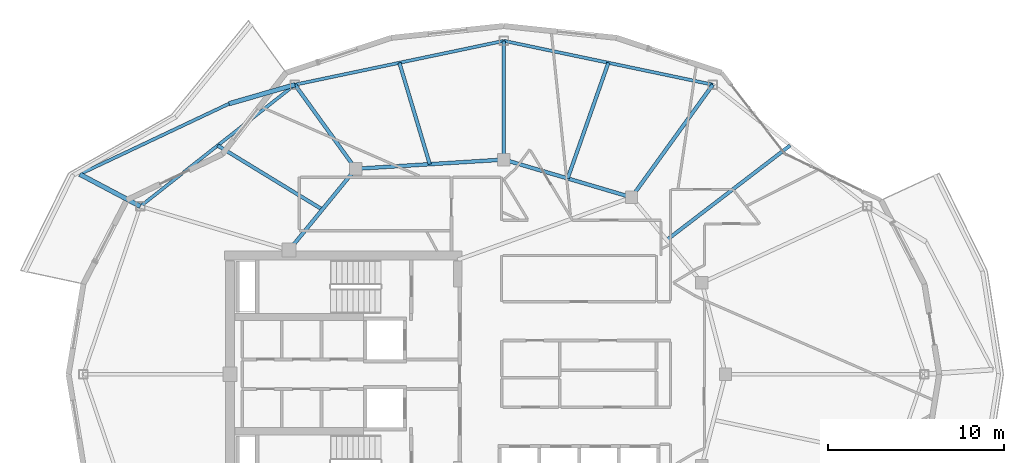
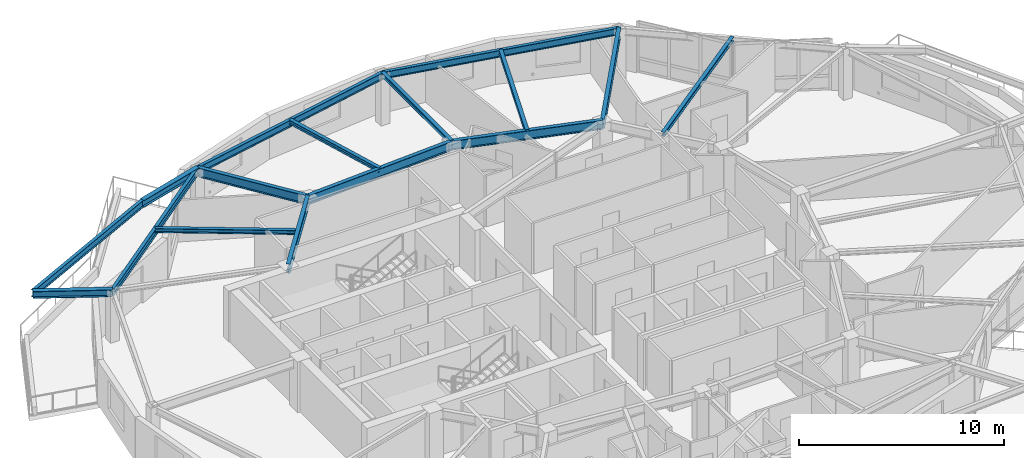
# One storey, part 3 of 14: 16 beams.
"""IFC4 building model written with IfcOpenShell, lengths in metres."""

from ifc_helpers import new_model, si_unit, direction, frame, origin, origin_2d, place, context, subcontext, project, spatial, i_section, extrude, material, material_profile, profile_set, type_object, element, save


model = new_model("IFC4")

# Units and contexts
model_context = context("Model", 3, precision=1e-05, world=origin(), true_north=direction((0.0, 1.0)))
body_context = subcontext(model_context, "Body", "Model", "MODEL_VIEW")
ifc_project = project(units=[si_unit("LENGTHUNIT", "METRE"), si_unit("AREAUNIT", "SQUARE_METRE"), si_unit("VOLUMEUNIT", "CUBIC_METRE"), si_unit("PLANEANGLEUNIT", "RADIAN"), si_unit("MASSUNIT", "GRAM", prefix="KILO")], contexts=[model_context])

# Site, building, storey
site_placement = place(None, origin())
site = spatial("IfcSite", under=ifc_project, at=site_placement, CompositionType="ELEMENT")
building_placement = place(site_placement, origin())
building = spatial("IfcBuilding", under=site, at=building_placement, Name="Kolvaren Gate Tower and Convention Centre", CompositionType="ELEMENT")
storey_placement = place(building_placement, frame((0.0, 0.0, 232.699951171875)))
storey = spatial("IfcBuildingStorey", under=building, at=storey_placement, Name="L62", CompositionType="ELEMENT", Elevation=232.699951171875)

# Beams
ifc_material = material(Name="Structural steel ASTM A992 Grade 345 MPa", Category="steel")
ifc_material_profile_1 = material_profile(ifc_material, i_section(OverallWidth=0.260009765625, OverallDepth=0.419921875, WebThickness=0.013427734375, FlangeThickness=0.0224609375, at=origin_2d()), Name="W410X132")
ifc_profile_set_1 = profile_set([ifc_material_profile_1], Name="Structural steel ASTM A992 Grade 345 MPa")
beam_type_1 = type_object("IfcBeamType", Name="STR-BM-W410X132", PredefinedType="BEAM", material=ifc_profile_set_1)
for number, where, z_axis, x_axis, name in (
    (1, (18.247314453125, 43.4580078125, 2.820556640625), (-0.960795374216, -0.277258451421, 0.0), (0.277258451421, -0.960795374216, 0.0), "Tower L63 Planted Balcony Outrigger Cantilever BC-1A"),
    (2, (9.462646484375, 36.543701171875, 2.820556640625), (-0.88362340532, 0.468198331448, 0.0), (-0.468198331448, -0.88362340532, 0.0), "Tower L63 Planted Balcony Outrigger Cantilever BC-1B"),
):
    element("IfcBeam", number, at=place(storey_placement, frame(where, z_axis=z_axis, x_axis=x_axis)), inside=storey, type_object=beam_type_1, Name=name, PredefinedType="BEAM", context=body_context, shape_type="SweptSolid", body=[
        extrude(i_section(OverallWidth=0.260009765625, OverallDepth=0.419921875, WebThickness=0.013427734375, FlangeThickness=0.0224609375, at=origin_2d()), origin(), (0.0, 0.0, 1.0), 3.89990234375),
    ])
ifc_material_profile_2 = material_profile(ifc_material, i_section(OverallWidth=0.2119140625, OverallDepth=0.5439453125, WebThickness=0.01318359375, FlangeThickness=0.021240234375, at=origin_2d()), Name="W530X123")
ifc_profile_set_2 = profile_set([ifc_material_profile_2], Name="Structural steel ASTM A992 Grade 345 MPa")
beam_type_2 = type_object("IfcBeamType", Name="STR-BM-W530X123", PredefinedType="BEAM", material=ifc_profile_set_2)
beam_1_placement = place(storey_placement, frame((37.381591796875, 37.054931640625, 2.758056640625), z_axis=(-0.958980837827, 0.283470902706, 0.0), x_axis=(-0.283470902706, -0.958980837827, 0.0)))
element("IfcBeam", 3, at=beam_1_placement, inside=storey, type_object=beam_type_2, Name="Tower L62 Primary Ring Girder G-03", PredefinedType="BEAM", context=body_context, shape_type="SweptSolid", body=[
    extrude(i_section(OverallWidth=0.2119140625, OverallDepth=0.5439453125, WebThickness=0.01318359375, FlangeThickness=0.021240234375, at=origin_2d()), origin(), (0.0, 0.0, 1.0), 7.56689453125),
])
beam_2_placement = place(storey_placement, frame((30.125, 39.199951171875, 2.758056640625), z_axis=(-0.998078258568, -0.06196603726, 0.0), x_axis=(0.06196603726, -0.998078258568, 0.0)))
element("IfcBeam", 4, at=beam_2_placement, inside=storey, type_object=beam_type_2, Name="Tower L62 Primary Ring Girder G-04", PredefinedType="BEAM", context=body_context, shape_type="SweptSolid", body=[
    extrude(i_section(OverallWidth=0.2119140625, OverallDepth=0.5439453125, WebThickness=0.01318359375, FlangeThickness=0.021240234375, at=origin_2d()), origin(), (0.0, 0.0, 1.0), 8.443115234375),
])
beam_3_placement = place(storey_placement, frame((21.697998046875, 38.6767578125, 2.758056640625), z_axis=(-0.633082074904, -0.774084676528, 0.0), x_axis=(0.774084676528, -0.633082074904, 0.0)))
element("IfcBeam", 5, at=beam_3_placement, inside=storey, type_object=beam_type_2, Name="Tower L62 Primary Ring Girder G-05", PredefinedType="BEAM", context=body_context, shape_type="SweptSolid", body=[
    extrude(i_section(OverallWidth=0.2119140625, OverallDepth=0.5439453125, WebThickness=0.01318359375, FlangeThickness=0.021240234375, at=origin_2d()), origin(), (0.0, 0.0, 1.0), 5.97705078125),
])
beam_4_placement = place(storey_placement, frame((37.381591796875, 37.054931640625, 2.758056640625), z_axis=(0.585211694794, 0.810880553643, 0.0), x_axis=(-0.810880553643, 0.585211694794, 0.0)))
element("IfcBeam", 6, at=beam_4_placement, inside=storey, type_object=beam_type_2, Name="Tower L62 Radial Floor Girder RB-03", PredefinedType="BEAM", context=body_context, shape_type="SweptSolid", body=[
    extrude(i_section(OverallWidth=0.2119140625, OverallDepth=0.5439453125, WebThickness=0.01318359375, FlangeThickness=0.021240234375, at=origin_2d()), origin(), (0.0, 0.0, 1.0), 7.896484375),
])
beam_5_placement = place(storey_placement, frame((21.697998046875, 38.6767578125, 2.758056640625), z_axis=(-0.585218406802, 0.810875709552, 0.0), x_axis=(-0.810875709552, -0.585218406802, 0.0)))
element("IfcBeam", 7, at=beam_5_placement, inside=storey, type_object=beam_type_2, Name="Tower L62 Radial Floor Girder RB-05", PredefinedType="BEAM", context=body_context, shape_type="SweptSolid", body=[
    extrude(i_section(OverallWidth=0.2119140625, OverallDepth=0.5439453125, WebThickness=0.01318359375, FlangeThickness=0.021240234375, at=origin_2d()), origin(), (0.0, 0.0, 1.0), 5.896484375),
])
ifc_material_profile_3 = material_profile(ifc_material, i_section(OverallWidth=0.202880859375, OverallDepth=0.251953125, WebThickness=0.008056640625, FlangeThickness=0.013427734375, at=origin_2d()), Name="W250X58")
ifc_profile_set_3 = profile_set([ifc_material_profile_3], Name="Structural steel ASTM A992 Grade 345 MPa")
beam_type_3 = type_object("IfcBeamType", Name="STR-JS-W250X58", PredefinedType="JOIST", material=ifc_profile_set_3)
beam_6_placement = place(storey_placement, frame((30.125, 39.199951171875, 2.904052734375), z_axis=(0.0, 1.0, 0.0), x_axis=(-1.0, 0.0, 0.0)))
element("IfcBeam", 8, at=beam_6_placement, inside=storey, type_object=beam_type_3, Name="Tower L62 Radial Floor Girder RB-04", PredefinedType="JOIST", context=body_context, shape_type="SweptSolid", body=[
    extrude(i_section(OverallWidth=0.202880859375, OverallDepth=0.251953125, WebThickness=0.008056640625, FlangeThickness=0.013427734375, at=origin_2d()), origin(), (0.0, 0.0, 1.0), 6.75),
])
beam_7_placement = place(storey_placement, frame((39.3818359375, 34.627197265625, 2.904052734375), z_axis=(0.793783340844, 0.608200631205, 0.0), x_axis=(-0.608200631205, 0.793783340844, 0.0)))
element("IfcBeam", 9, at=beam_7_placement, inside=storey, type_object=beam_type_3, Name="Tower L62 Secondary Composite Floor Joist J-02.1", PredefinedType="JOIST", context=body_context, shape_type="SweptSolid", body=[
    extrude(i_section(OverallWidth=0.202880859375, OverallDepth=0.251953125, WebThickness=0.008056640625, FlangeThickness=0.013427734375, at=origin_2d()), origin(), (0.0, 0.0, 1.0), 8.835205078125),
])
beam_8_placement = place(storey_placement, frame((33.75341796875, 38.12744140625, 2.904052734375), z_axis=(0.331432911821, 0.943478788824, 0.0), x_axis=(-0.943478788824, 0.331432911821, 0.0)))
element("IfcBeam", 10, at=beam_8_placement, inside=storey, type_object=beam_type_3, Name="Tower L62 Secondary Composite Floor Joist J-03.1", PredefinedType="JOIST", context=body_context, shape_type="SweptSolid", body=[
    extrude(i_section(OverallWidth=0.202880859375, OverallDepth=0.251953125, WebThickness=0.008056640625, FlangeThickness=0.013427734375, at=origin_2d()), origin(), (0.0, 0.0, 1.0), 6.970703125),
])
beam_9_placement = place(storey_placement, frame((25.91162109375, 38.938232421875, 2.904052734375), z_axis=(-0.286674209033, 0.958028130002, 0.0), x_axis=(-0.958028130002, -0.286674209033, 0.0)))
element("IfcBeam", 11, at=beam_9_placement, inside=storey, type_object=beam_type_3, Name="Tower L62 Secondary Composite Floor Joist J-04.1", PredefinedType="JOIST", context=body_context, shape_type="SweptSolid", body=[
    extrude(i_section(OverallWidth=0.202880859375, OverallDepth=0.251953125, WebThickness=0.008056640625, FlangeThickness=0.013427734375, at=origin_2d()), origin(), (0.0, 0.0, 1.0), 6.0185546875),
])
beam_10_placement = place(storey_placement, frame((19.805908203125, 36.36328125, 2.904052734375), z_axis=(-0.853232509014, 0.52153071392, 0.0), x_axis=(-0.52153071392, -0.853232509014, 0.0)))
element("IfcBeam", 12, at=beam_10_placement, inside=storey, type_object=beam_type_3, Name="Tower L62 Secondary Composite Floor Joist J-05.1", PredefinedType="JOIST", context=body_context, shape_type="SweptSolid", body=[
    extrude(i_section(OverallWidth=0.202880859375, OverallDepth=0.251953125, WebThickness=0.008056640625, FlangeThickness=0.013427734375, at=origin_2d()), origin(), (0.0, 0.0, 1.0), 6.974609375),
])
ifc_material_profile_4 = material_profile(ifc_material, i_section(OverallWidth=0.180908203125, OverallDepth=0.4169921875, WebThickness=0.010986328125, FlangeThickness=0.018310546875, at=origin_2d()), Name="W410X85")
ifc_profile_set_4 = profile_set([ifc_material_profile_4], Name="Structural steel ASTM A992 Grade 345 MPa")
beam_type_4 = type_object("IfcBeamType", Name="STR-SP-W410X85", PredefinedType="SPANDREL", material=ifc_profile_set_4)
for number, where, z_axis, x_axis, name in (
    (13, (42.002685546875, 43.4580078125, 2.821533203125), (-0.978692765917, 0.205330148645, 0.0), (-0.205330148645, -0.978692765917, 0.0), "Tower L62 Perimeter Spandrel Beam SP-03"),
    (14, (30.125, 45.949951171875, 2.821533203125), (-0.978692765917, -0.205330148645, 0.0), (0.205330148645, -0.978692765917, 0.0), "Tower L62 Perimeter Spandrel Beam SP-04"),
):
    element("IfcBeam", number, at=place(storey_placement, frame(where, z_axis=z_axis, x_axis=x_axis)), inside=storey, type_object=beam_type_4, Name=name, PredefinedType="SPANDREL", context=body_context, shape_type="SweptSolid", body=[
        extrude(i_section(OverallWidth=0.180908203125, OverallDepth=0.4169921875, WebThickness=0.010986328125, FlangeThickness=0.018310546875, at=origin_2d()), origin(), (0.0, 0.0, 1.0), 12.13623046875),
    ])
beam_11_placement = place(storey_placement, frame((18.247314453125, 43.4580078125, 2.821533203125), z_axis=(-0.78579365551, -0.618488747643, 0.0), x_axis=(0.618488747643, -0.78579365551, 0.0)))
element("IfcBeam", 15, at=beam_11_placement, inside=storey, type_object=beam_type_4, Name="Tower L62 Perimeter Spandrel Beam SP-05", PredefinedType="SPANDREL", context=body_context, shape_type="SweptSolid", body=[
    extrude(i_section(OverallWidth=0.180908203125, OverallDepth=0.4169921875, WebThickness=0.010986328125, FlangeThickness=0.018310546875, at=origin_2d()), origin(), (0.0, 0.0, 1.0), 11.179443359375),
])
beam_12_placement = place(storey_placement, frame((14.500244140625, 42.376708984375, 2.822021484375), z_axis=(-0.90421096583, -0.427086091173, 0.0), x_axis=(0.427086091173, -0.90421096583, 0.0)))
element("IfcBeam", 16, at=beam_12_placement, inside=storey, type_object=beam_type_4, Name="Tower L63 Planted Balcony Header Tie Beam BT-1", PredefinedType="SPANDREL", context=body_context, shape_type="SweptSolid", body=[
    extrude(i_section(OverallWidth=0.180908203125, OverallDepth=0.4169921875, WebThickness=0.010986328125, FlangeThickness=0.018310546875, at=origin_2d()), origin(), (0.0, 0.0, 1.0), 9.38232421875),
])

save(model, "model.ifc")
